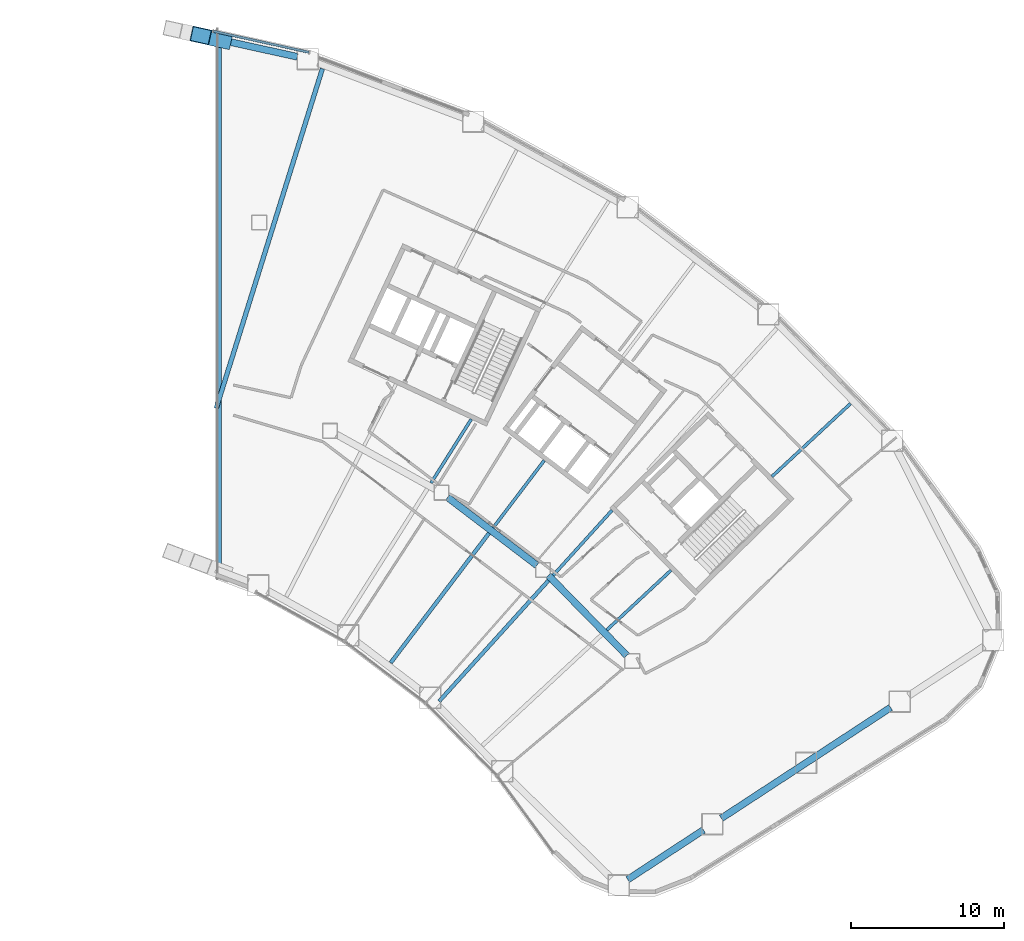
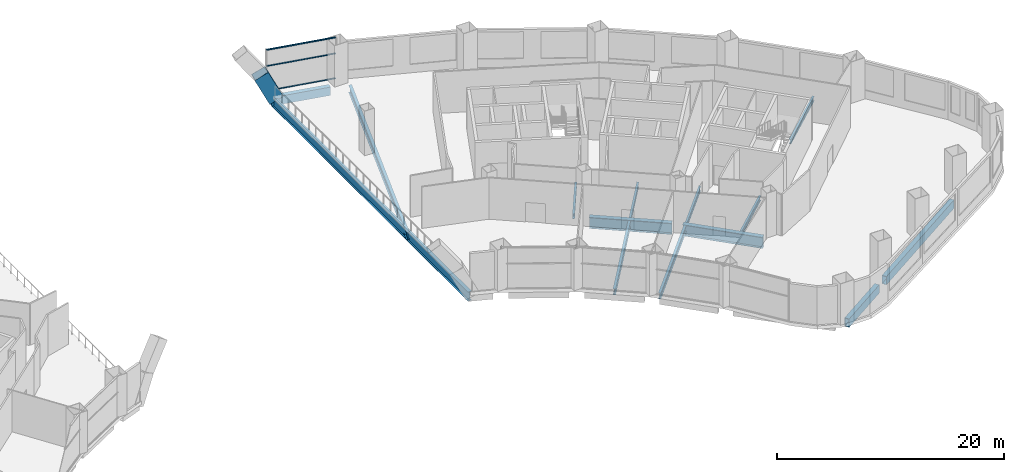
# One storey, part 9 of 20: 15 beams, 3 members, 1 element without a shape of its own.
"""IFC4 building model written with IfcOpenShell, lengths in metres."""

import ifcopenshell
import ifcopenshell.guid

model = None  # the IFC model being written
_history = None  # IfcOwnerHistory: only IFC2X3 demands one
_inside = {}  # id of a spatial element -> (the spatial element, [elements in it])
_under = {}  # id of a project, library or spatial element -> (it, [spatial elements below it])
_declared = {}  # id of a project -> (the project, [libraries it declares])
_typed = {}  # id of a type object -> (the type object, [elements of that type])
_made_of = {}  # id of a material, layer set ... -> (it, [elements and type objects made of it])


def new_model(schema):
    """Start an empty IFC model of exactly this schema.

    Asked for "IFC4X3", IfcOpenShell would pick the latest addendum, in which some entities
    have other attributes; the version numbers below select the first issue.
    IFC2X3 requires an IfcOwnerHistory on every rooted entity: one is made here for all.
    """
    global model, _history
    if schema == "IFC4X3":
        model = ifcopenshell.file(schema_version=(4, 3, 0, 0))
    else:
        model = ifcopenshell.file(schema=schema)
    _inside.clear()
    _under.clear()
    _declared.clear()
    _typed.clear()
    _made_of.clear()
    _history = None
    if model.schema == "IFC2X3":
        org = make("IfcOrganization", Name="unknown")
        user = make(
            "IfcPersonAndOrganization",
            ThePerson=make("IfcPerson", FamilyName="unknown"),
            TheOrganization=org,
        )
        app = make(
            "IfcApplication",
            ApplicationDeveloper=org,
            Version="unknown",
            ApplicationFullName="unknown",
            ApplicationIdentifier="unknown",
        )
        _history = make(
            "IfcOwnerHistory",
            OwningUser=user,
            OwningApplication=app,
            ChangeAction="ADDED",
            CreationDate=0,
        )
    return model


def make(cls, **values):
    """One entity of the class cls with the attributes given. An attribute that is None is left unset."""
    return model.create_entity(
        cls, **{name: value for name, value in values.items() if value is not None}
    )


def rooted(cls, **values):
    """An entity with a GlobalId (a new one), such as an element, a storey or a relation."""
    return make(cls, GlobalId=ifcopenshell.guid.new(), OwnerHistory=_history, **values)


def si_unit(unit_type, name, prefix=None):
    """IfcSIUnit, for example si_unit("LENGTHUNIT", "METRE", prefix="MILLI")."""
    return make("IfcSIUnit", UnitType=unit_type, Prefix=prefix, Name=name)


def assignment(units):
    """IfcUnitAssignment: the units of a project."""
    return None if units is None else make("IfcUnitAssignment", Units=units)


def point(xyz):
    """IfcCartesianPoint."""
    return None if xyz is None else make("IfcCartesianPoint", Coordinates=xyz)


def direction(xyz):
    """IfcDirection."""
    return None if xyz is None else make("IfcDirection", DirectionRatios=xyz)


def frame(location, z_axis=None, x_axis=None):
    """IfcAxis2Placement3D, a coordinate frame: its origin and axes. An axis left out is left unset."""
    return make(
        "IfcAxis2Placement3D",
        Location=point(location),
        Axis=direction(z_axis),
        RefDirection=direction(x_axis),
    )


def frame_2d(location, x_axis=None):
    """IfcAxis2Placement2D, a coordinate frame in the plane: its origin and x axis."""
    return make(
        "IfcAxis2Placement2D", Location=point(location), RefDirection=direction(x_axis)
    )


def origin():
    """The frame at (0, 0, 0) with its axes left unset."""
    return frame((0.0, 0.0, 0.0))


def origin_2d():
    """The frame at (0, 0) in the plane with its x axis left unset."""
    return frame_2d((0.0, 0.0))


def place(relative_to, where):
    """IfcLocalPlacement: puts the frame where relative to a parent placement (None: the world)."""
    return make(
        "IfcLocalPlacement", PlacementRelTo=relative_to, RelativePlacement=where
    )


def context(
    kind, dimensions, precision=None, world=None, true_north=None, identifier=None
):
    """IfcGeometricRepresentationContext, for example the 3D "Model" context."""
    return make(
        "IfcGeometricRepresentationContext",
        ContextIdentifier=identifier,
        ContextType=kind,
        CoordinateSpaceDimension=dimensions,
        Precision=precision,
        WorldCoordinateSystem=world,
        TrueNorth=true_north,
    )


def subcontext(parent, identifier, kind, view, scale=None):
    """IfcGeometricRepresentationSubContext, for example "Body" below "Model"."""
    return make(
        "IfcGeometricRepresentationSubContext",
        ContextIdentifier=identifier,
        ContextType=kind,
        ParentContext=parent,
        TargetScale=scale,
        TargetView=view,
    )


def project(units=None, contexts=None):
    """IfcProject with its units and contexts."""
    return rooted(
        "IfcProject",
        Name="project",
        RepresentationContexts=contexts,
        UnitsInContext=assignment(units),
    )


def spatial(cls, under=None, at=None, **own):
    """A site, building, storey or space (cls), placed at a placement, below another one or the project."""
    s = rooted(cls, ObjectPlacement=at, **own)
    if under is not None:
        _under.setdefault(under.id(), (under, []))[1].append(s)
    return s


def profile(cls, at=None, kind="AREA", **sizes):
    """A parametric profile (cls). Its sizes go by their IFC names, for example OverallWidth=200.0."""
    return make(cls, ProfileType=kind, Position=at, **sizes)


def rectangle(**sizes):
    """IfcRectangleProfileDef."""
    return profile("IfcRectangleProfileDef", **sizes)


def hollow_rectangle(**sizes):
    """IfcRectangleHollowProfileDef."""
    return profile("IfcRectangleHollowProfileDef", **sizes)


def i_section(**sizes):
    """IfcIShapeProfileDef."""
    return profile("IfcIShapeProfileDef", **sizes)


def extrude(swept, where, along, depth):
    """IfcExtrudedAreaSolid: the profile swept, set in the frame where, extruded along a direction by depth."""
    return make(
        "IfcExtrudedAreaSolid",
        SweptArea=swept,
        Position=where,
        ExtrudedDirection=direction(along),
        Depth=depth,
    )


def shape(context_of_items, identifier, shape_type, items):
    """IfcShapeRepresentation: the items that make up one representation, for example the "Body"."""
    return make(
        "IfcShapeRepresentation",
        ContextOfItems=context_of_items,
        RepresentationIdentifier=identifier,
        RepresentationType=shape_type,
        Items=items,
    )


def material(Name=None, Category=None):
    """IfcMaterial."""
    return make("IfcMaterial", Name=Name, Category=Category)


def layer(
    of_material, thickness, ventilated=None, Name=None, Category=None, Priority=None
):
    """IfcMaterialLayer: one layer of a wall or slab, of a material (None: an air gap)."""
    return make(
        "IfcMaterialLayer",
        Material=of_material,
        LayerThickness=thickness,
        IsVentilated=ventilated,
        Name=Name,
        Category=Category,
        Priority=Priority,
    )


def layer_set(layers, Name=None):
    """IfcMaterialLayerSet."""
    return make("IfcMaterialLayerSet", MaterialLayers=layers, LayerSetName=Name)


def material_profile(
    of_material, cross_section, Name=None, Category=None, Priority=None
):
    """IfcMaterialProfile: a cross section and its material."""
    return make(
        "IfcMaterialProfile",
        Name=Name,
        Material=of_material,
        Profile=cross_section,
        Priority=Priority,
        Category=Category,
    )


def profile_set(profiles, Name=None, composite=None):
    """IfcMaterialProfileSet."""
    return make(
        "IfcMaterialProfileSet",
        Name=Name,
        MaterialProfiles=profiles,
        CompositeProfile=composite,
    )


def made_of(thing, what):
    """Note that an element or type object is made of a material, layer set ...; save() writes the relation."""
    if what is not None:
        _made_of.setdefault(what.id(), (what, []))[1].append(thing)
    return thing


def type_object(cls, material=None, **own):
    """A type object (cls), such as IfcWallType, which elements share."""
    return made_of(rooted(cls, **own), material)


def element(
    cls,
    number,
    at=None,
    inside=None,
    cuts=None,
    type_object=None,
    material=None,
    context=None,
    identifier="Body",
    shape_type=None,
    held_by="IfcProductDefinitionShape",
    body=None,
    shapes=None,
    **own,
):
    """One element of the class cls, such as IfcWall. Its Tag is "e" and its number.

    at: its placement. inside: the storey or other place that contains it. cuts: it is an
    opening in that element (IfcRelVoidsElement). A single representation is given by context,
    identifier, shape_type and body (its items); several are given by shapes. held_by: the class
    of the entity that holds the representations. save() writes the other relations.
    """
    e = rooted(cls, Tag="e%d" % number, ObjectPlacement=at, **own)
    if body is not None:
        shapes = [shape(context, identifier, shape_type, body)]
    if shapes is not None:
        e.Representation = make(held_by, Representations=shapes)
    if inside is not None:
        _inside.setdefault(inside.id(), (inside, []))[1].append(e)
    if cuts is not None:
        rooted(
            "IfcRelVoidsElement", RelatingBuildingElement=cuts, RelatedOpeningElement=e
        )
    if type_object is not None:
        _typed.setdefault(type_object.id(), (type_object, []))[1].append(e)
    return made_of(e, material)


def aggregate(whole, parts):
    """IfcRelAggregates: a whole, such as a stair, and the parts it consists of."""
    return rooted("IfcRelAggregates", RelatingObject=whole, RelatedObjects=parts)


def save(model, path):
    """Write the relations noted so far, then the file.

    IfcRelAggregates (storeys below a building ...), IfcRelContainedInSpatialStructure (elements
    in a storey), IfcRelDefinesByType, IfcRelAssociatesMaterial and IfcRelDeclares: one each for
    every whole, place, type object, material and project.
    """
    for whole, parts in _under.values():
        aggregate(whole, parts)
    for where, things in _inside.values():
        rooted(
            "IfcRelContainedInSpatialStructure",
            RelatedElements=things,
            RelatingStructure=where,
        )
    for kind, things in _typed.values():
        rooted("IfcRelDefinesByType", RelatedObjects=things, RelatingType=kind)
    for what, things in _made_of.values():
        rooted("IfcRelAssociatesMaterial", RelatedObjects=things, RelatingMaterial=what)
    for by, libraries in _declared.values():
        rooted("IfcRelDeclares", RelatingContext=by, RelatedDefinitions=libraries)
    model.write(path)


model = new_model("IFC4")

# Units and contexts
model_context = context("Model", 3, precision=1e-05, world=origin(), true_north=direction((0.0, 1.0)))
body_context = subcontext(model_context, "Body", "Model", "MODEL_VIEW")
ifc_project = project(units=[si_unit("LENGTHUNIT", "METRE"), si_unit("AREAUNIT", "SQUARE_METRE"), si_unit("VOLUMEUNIT", "CUBIC_METRE"), si_unit("PLANEANGLEUNIT", "RADIAN"), si_unit("MASSUNIT", "GRAM", prefix="KILO")], contexts=[model_context])

# Site, building, storey
site_placement = place(None, origin())
site = spatial("IfcSite", under=ifc_project, at=site_placement, CompositionType="ELEMENT")
building_placement = place(site_placement, origin())
building = spatial("IfcBuilding", under=site, at=building_placement, Name="Tuul Gate Civic Tower", CompositionType="ELEMENT")
storey_placement = place(building_placement, frame((0.0, 0.0, 12.300048828125)))
storey = spatial("IfcBuildingStorey", under=building, at=storey_placement, Name="Level 02", CompositionType="ELEMENT", Elevation=12.300048828125)

# Curtain wall, members
ifc_material_1 = material(Name="Aluminium", Category="aluminium")
ifc_layer = layer(ifc_material_1, 0.199951171875)
ifc_layer_set = layer_set([ifc_layer], Name="Aluminium")
curtain_wall_type = type_object("IfcCurtainWallType", Name="Curtain wall CW6", PredefinedType="NOTDEFINED", material=ifc_layer_set)
curtain_wall_placement = place(storey_placement, origin())
curtain_wall = element("IfcCurtainWall", 1, at=curtain_wall_placement, inside=storey, type_object=curtain_wall_type, Name="Curtain wall CW6", PredefinedType="NOTDEFINED")
ifc_material_2 = material(Name="Aluminium", Category="aluminium")
ifc_material_profile_1 = material_profile(ifc_material_2, rectangle(XDim=0.159912109375, YDim=0.06005859375, at=origin_2d()), Name="CW6 transom")
ifc_profile_set_1 = profile_set([ifc_material_profile_1], Name="Aluminium")
member_type = type_object("IfcMemberType", Name="CW6 transom", PredefinedType="USERDEFINED", material=ifc_profile_set_1)
member_1_placement = place(storey_placement, frame((22.8623046875, 17.039794921875, 0.030029296875), z_axis=(-0.97656104531, 0.21524062066, 0.0), x_axis=(-0.21524062066, -0.97656104531, 0.0)))
member_1 = element("IfcMember", 2, at=member_1_placement, type_object=member_type, Name="Transom", ObjectType="TRANSOM", PredefinedType="USERDEFINED", context=body_context, shape_type="SweptSolid", body=[
    extrude(rectangle(XDim=0.159912109375, YDim=0.06005859375, at=origin_2d()), origin(), (0.0, 0.0, 1.0), 6.38037109375),
])
member_2_placement = place(storey_placement, frame((22.8623046875, 17.039794921875, 2.699951171875), z_axis=(-0.97656104531, 0.21524062066, 0.0), x_axis=(-0.21524062066, -0.97656104531, 0.0)))
member_2 = element("IfcMember", 3, at=member_2_placement, type_object=member_type, Name="Transom", ObjectType="TRANSOM", PredefinedType="USERDEFINED", context=body_context, shape_type="SweptSolid", body=[
    extrude(rectangle(XDim=0.159912109375, YDim=0.06005859375, at=origin_2d()), origin(), (0.0, 0.0, 1.0), 6.38037109375),
])
member_3_placement = place(storey_placement, frame((22.8623046875, 17.039794921875, 4.419921875), z_axis=(-0.97656104531, 0.21524062066, 0.0), x_axis=(-0.21524062066, -0.97656104531, 0.0)))
member_3 = element("IfcMember", 4, at=member_3_placement, type_object=member_type, Name="Transom", ObjectType="TRANSOM", PredefinedType="USERDEFINED", context=body_context, shape_type="SweptSolid", body=[
    extrude(rectangle(XDim=0.159912109375, YDim=0.06005859375, at=origin_2d()), origin(), (0.0, 0.0, 1.0), 6.38037109375),
])
aggregate(curtain_wall, [member_1, member_2, member_3])

# Beams
ifc_material_3 = material(Name="Steel S460", Category="steel")
ifc_material_profile_2 = material_profile(ifc_material_3, hollow_rectangle(XDim=1.0, YDim=1.39990234375, WallThickness=0.0400390625, at=origin_2d()), Name="BOX1400x1000x40")
ifc_profile_set_2 = profile_set([ifc_material_profile_2], Name="Steel S460")
beam_type_1 = type_object("IfcBeamType", Name="STR-ARCH TRUSS CHORD-BOX1400x1000x40", PredefinedType="BEAM", material=ifc_profile_set_2)
beam_1_placement = place(storey_placement, frame((15.801025390625, 18.1357421875, 2.3310546875), z_axis=(0.425782137583, -0.093852732952, -0.899945129346), x_axis=(0.215256996806, 0.976557435754, 0.0)))
element("IfcBeam", 5, at=beam_1_placement, inside=storey, type_object=beam_type_1, Name="Arch rib", PredefinedType="BEAM", context=body_context, shape_type="SweptSolid", body=[
    extrude(hollow_rectangle(XDim=1.0, YDim=1.39990234375, WallThickness=0.0400390625, at=origin_2d()), origin(), (0.0, 0.0, 1.0), 3.189208984375),
])
ifc_material_4 = material(Name="Steel S355", Category="steel")
ifc_material_profile_3 = material_profile(ifc_material_4, i_section(OverallWidth=0.199951171875, OverallDepth=0.5, WebThickness=0.010009765625, FlangeThickness=0.01611328125, at=origin_2d()), Name="PG500x200x10x16")
ifc_profile_set_3 = profile_set([ifc_material_profile_3], Name="Steel S355")
beam_type_2 = type_object("IfcBeamType", Name="STR-FLOOR BEAM-PG500x200x10x16", PredefinedType="BEAM", material=ifc_profile_set_3)
beam_2_placement = place(storey_placement, frame((42.313232421875, -20.696533203125, -0.60009765625), z_axis=(0.732672121193, 0.680581782615, 0.0), x_axis=(-0.680581782615, 0.732672121193, 0.0)))
element("IfcBeam", 6, at=beam_2_placement, inside=storey, type_object=beam_type_2, Name="Floor beam", PredefinedType="BEAM", context=body_context, shape_type="SweptSolid", body=[
    extrude(i_section(OverallWidth=0.199951171875, OverallDepth=0.5, WebThickness=0.010009765625, FlangeThickness=0.01611328125, at=origin_2d()), origin(), (0.0, 0.0, 1.0), 5.73193359375),
])
beam_3_placement = place(storey_placement, frame((53.109375, -10.668212890625, -0.60009765625), z_axis=(0.732687862246, 0.680564836381, 0.0), x_axis=(-0.680564836381, 0.732687862246, 0.0)))
element("IfcBeam", 7, at=beam_3_placement, inside=storey, type_object=beam_type_2, Name="Floor beam", PredefinedType="BEAM", context=body_context, shape_type="SweptSolid", body=[
    extrude(i_section(OverallWidth=0.199951171875, OverallDepth=0.5, WebThickness=0.010009765625, FlangeThickness=0.01611328125, at=origin_2d()), origin(), (0.0, 0.0, 1.0), 6.997802734375),
])
beam_4_placement = place(storey_placement, frame((38.812255859375, -17.125, -0.60009765625), z_axis=(0.671102625073, 0.741364462744, 0.0), x_axis=(-0.741364462744, 0.671102625073, 0.0)))
element("IfcBeam", 8, at=beam_4_placement, inside=storey, type_object=beam_type_2, Name="Floor beam", PredefinedType="BEAM", context=body_context, shape_type="SweptSolid", body=[
    extrude(i_section(OverallWidth=0.199951171875, OverallDepth=0.5, WebThickness=0.010009765625, FlangeThickness=0.01611328125, at=origin_2d()), origin(), (0.0, 0.0, 1.0), 5.740234375),
])
beam_5_placement = place(storey_placement, frame((34.8984375, -14.01220703125, -0.60009765625), z_axis=(0.604519082905, 0.79659065925, 0.0), x_axis=(-0.79659065925, 0.604519082905, 0.0)))
element("IfcBeam", 9, at=beam_5_placement, inside=storey, type_object=beam_type_2, Name="Floor beam", PredefinedType="BEAM", context=body_context, shape_type="SweptSolid", body=[
    extrude(i_section(OverallWidth=0.199951171875, OverallDepth=0.5, WebThickness=0.010009765625, FlangeThickness=0.01611328125, at=origin_2d()), origin(), (0.0, 0.0, 1.0), 5.520263671875),
])
beam_6_placement = place(storey_placement, frame((30.841552734375, -11.089599609375, -0.60009765625), z_axis=(0.533401895613, 0.845861937763, 0.0), x_axis=(-0.845861937763, 0.533401895613, 0.0)))
element("IfcBeam", 10, at=beam_6_placement, inside=storey, type_object=beam_type_2, Name="Floor beam", PredefinedType="BEAM", context=body_context, shape_type="SweptSolid", body=[
    extrude(i_section(OverallWidth=0.199951171875, OverallDepth=0.5, WebThickness=0.010009765625, FlangeThickness=0.01611328125, at=origin_2d()), origin(), (0.0, 0.0, 1.0), 4.92724609375),
])
ifc_material_5 = material(Name="Steel S355", Category="steel")
ifc_material_profile_4 = material_profile(ifc_material_5, i_section(OverallWidth=0.25, OverallDepth=0.64990234375, WebThickness=0.011962890625, FlangeThickness=0.02001953125, at=origin_2d()), Name="PG650x250x12x20")
ifc_profile_set_4 = profile_set([ifc_material_profile_4], Name="Steel S355")
beam_type_3 = type_object("IfcBeamType", Name="STR-FLOOR BEAM-PG650x250x12x20", PredefinedType="BEAM", material=ifc_profile_set_4)
beam_7_placement = place(storey_placement, frame((31.366455078125, -25.35009765625, -0.675048828125), z_axis=(0.671117501912, 0.741350995567, 0.0), x_axis=(-0.741350995567, 0.671117501912, 0.0)))
element("IfcBeam", 11, at=beam_7_placement, inside=storey, type_object=beam_type_3, Name="Floor beam", PredefinedType="BEAM", context=body_context, shape_type="SweptSolid", body=[
    extrude(i_section(OverallWidth=0.25, OverallDepth=0.64990234375, WebThickness=0.011962890625, FlangeThickness=0.02001953125, at=origin_2d()), origin(), (0.0, 0.0, 1.0), 10.643798828125),
])
beam_8_placement = place(storey_placement, frame((28.20361328125, -22.83447265625, -0.675048828125), z_axis=(0.604505162529, 0.796601222995, 0.0), x_axis=(-0.796601222995, 0.604505162529, 0.0)))
element("IfcBeam", 12, at=beam_8_placement, inside=storey, type_object=beam_type_3, Name="Floor beam", PredefinedType="BEAM", context=body_context, shape_type="SweptSolid", body=[
    extrude(i_section(OverallWidth=0.25, OverallDepth=0.64990234375, WebThickness=0.011962890625, FlangeThickness=0.02001953125, at=origin_2d()), origin(), (0.0, 0.0, 1.0), 10.625),
])
ifc_material_6 = material(Name="Steel S355", Category="steel")
ifc_material_profile_5 = material_profile(ifc_material_6, i_section(OverallWidth=0.300048828125, OverallDepth=0.800048828125, WebThickness=0.013916015625, FlangeThickness=0.02490234375, at=origin_2d()), Name="PG800x300x14x25")
ifc_profile_set_5 = profile_set([ifc_material_profile_5], Name="Steel S355")
beam_type_4 = type_object("IfcBeamType", Name="STR-FLOOR BEAM-PG800x300x14x25", PredefinedType="BEAM", material=ifc_profile_set_5)
beam_9_placement = place(storey_placement, frame((16.81298828125, -6.208251953125, -0.75), z_axis=(0.298322858502, 0.954465018791, 0.0), x_axis=(-0.954465018791, 0.298322858502, 0.0)))
element("IfcBeam", 13, at=beam_9_placement, inside=storey, type_object=beam_type_4, Name="Floor beam", PredefinedType="BEAM", context=body_context, shape_type="SweptSolid", body=[
    extrude(i_section(OverallWidth=0.300048828125, OverallDepth=0.800048828125, WebThickness=0.013916015625, FlangeThickness=0.02490234375, at=origin_2d()), origin(), (0.0, 0.0, 1.0), 23.233642578125),
])
ifc_material_7 = material(Name="Steel S355", Category="steel")
ifc_material_profile_6 = material_profile(ifc_material_7, i_section(OverallWidth=0.35009765625, OverallDepth=1.0, WebThickness=0.01611328125, FlangeThickness=0.030029296875, at=origin_2d()), Name="PG1000x350x16x30")
ifc_profile_set_6 = profile_set([ifc_material_profile_6], Name="Steel S355")
beam_type_5 = type_object("IfcBeamType", Name="STR-RING BEAM-PG1000x350x16x30", PredefinedType="BEAM", material=ifc_profile_set_6)
beam_10_placement = place(storey_placement, frame((16.988037109375, -16.8115234375, -0.85009765625), z_axis=(0.0, 1.0, 0.0), x_axis=(-1.0, 0.0, 0.0)))
element("IfcBeam", 14, at=beam_10_placement, inside=storey, type_object=beam_type_5, Name="Tunnel edge beam", PredefinedType="BEAM", context=body_context, shape_type="SweptSolid", body=[
    extrude(i_section(OverallWidth=0.35009765625, OverallDepth=1.0, WebThickness=0.01611328125, FlangeThickness=0.030029296875, at=origin_2d()), origin(), (0.0, 0.0, 1.0), 34.685546875),
])
ifc_material_8 = material(Name="Steel S355", Category="steel")
ifc_material_profile_7 = material_profile(ifc_material_8, i_section(OverallWidth=0.449951171875, OverallDepth=1.199951171875, WebThickness=0.02001953125, FlangeThickness=0.0400390625, at=origin_2d()), Name="PG1200x450x20x40")
ifc_profile_set_7 = profile_set([ifc_material_profile_7], Name="Steel S355")
beam_type_6 = type_object("IfcBeamType", Name="STR-RING BEAM-PG1200x450x20x40", PredefinedType="BEAM", material=ifc_profile_set_7)
beam_11_placement = place(storey_placement, frame((31.920166015625, -12.02734375, -0.949951171875), z_axis=(0.795630466158, -0.605782272207, 0.0), x_axis=(0.605782272207, 0.795630466158, 0.0)))
element("IfcBeam", 15, at=beam_11_placement, inside=storey, type_object=beam_type_6, Name="Ring girder", PredefinedType="BEAM", context=body_context, shape_type="SweptSolid", body=[
    extrude(i_section(OverallWidth=0.449951171875, OverallDepth=1.199951171875, WebThickness=0.02001953125, FlangeThickness=0.0400390625, at=origin_2d()), origin(), (0.0, 0.0, 1.0), 7.330078125),
])
beam_12_placement = place(storey_placement, frame((38.5, -17.127685546875, -0.949951171875), z_axis=(0.699994492155, -0.71414824158, 0.0), x_axis=(0.71414824158, 0.699994492155, 0.0)))
element("IfcBeam", 16, at=beam_12_placement, inside=storey, type_object=beam_type_6, Name="Ring girder", PredefinedType="BEAM", context=body_context, shape_type="SweptSolid", body=[
    extrude(i_section(OverallWidth=0.449951171875, OverallDepth=1.199951171875, WebThickness=0.02001953125, FlangeThickness=0.0400390625, at=origin_2d()), origin(), (0.0, 0.0, 1.0), 7.330810546875),
])
ifc_material_9 = material(Name="Steel S355", Category="steel")
ifc_material_profile_8 = material_profile(ifc_material_9, hollow_rectangle(XDim=0.449951171875, YDim=0.89990234375, WallThickness=0.02490234375, at=origin_2d()), Name="BOX900x450x25")
ifc_profile_set_8 = profile_set([ifc_material_profile_8], Name="Steel S355")
beam_type_7 = type_object("IfcBeamType", Name="STR-SPANDREL BEAM-BOX900x450x25", PredefinedType="BEAM", material=ifc_profile_set_8)
beam_13_placement = place(storey_placement, frame((22.1083984375, 16.74560546875, -0.800048828125), z_axis=(-0.976562018583, 0.215236204812, 0.0), x_axis=(-0.215236204812, -0.976562018583, 0.0)))
element("IfcBeam", 17, at=beam_13_placement, inside=storey, type_object=beam_type_7, Name="Spandrel beam", PredefinedType="BEAM", context=body_context, shape_type="SweptSolid", body=[
    extrude(hollow_rectangle(XDim=0.449951171875, YDim=0.89990234375, WallThickness=0.02490234375, at=origin_2d()), origin(), (0.0, 0.0, 1.0), 5.447998046875),
])
beam_14_placement = place(storey_placement, frame((43.688720703125, -36.99072265625, -0.800048828125), z_axis=(0.836737319566, 0.547604472265, 0.0), x_axis=(-0.547604472265, 0.836737319566, 0.0)))
element("IfcBeam", 18, at=beam_14_placement, inside=storey, type_object=beam_type_7, Name="Spandrel beam", PredefinedType="BEAM", context=body_context, shape_type="SweptSolid", body=[
    extrude(hollow_rectangle(XDim=0.449951171875, YDim=0.89990234375, WallThickness=0.02490234375, at=origin_2d()), origin(), (0.0, 0.0, 1.0), 5.908203125),
])
beam_15_placement = place(storey_placement, frame((49.8037109375, -32.98876953125, -0.800048828125), z_axis=(0.836741071493, 0.547598739294, 0.0), x_axis=(-0.547598739294, 0.836741071493, 0.0)))
element("IfcBeam", 19, at=beam_15_placement, inside=storey, type_object=beam_type_7, Name="Spandrel beam", PredefinedType="BEAM", context=body_context, shape_type="SweptSolid", body=[
    extrude(hollow_rectangle(XDim=0.449951171875, YDim=0.89990234375, WallThickness=0.02490234375, at=origin_2d()), origin(), (0.0, 0.0, 1.0), 13.215087890625),
])

save(model, "model.ifc")
